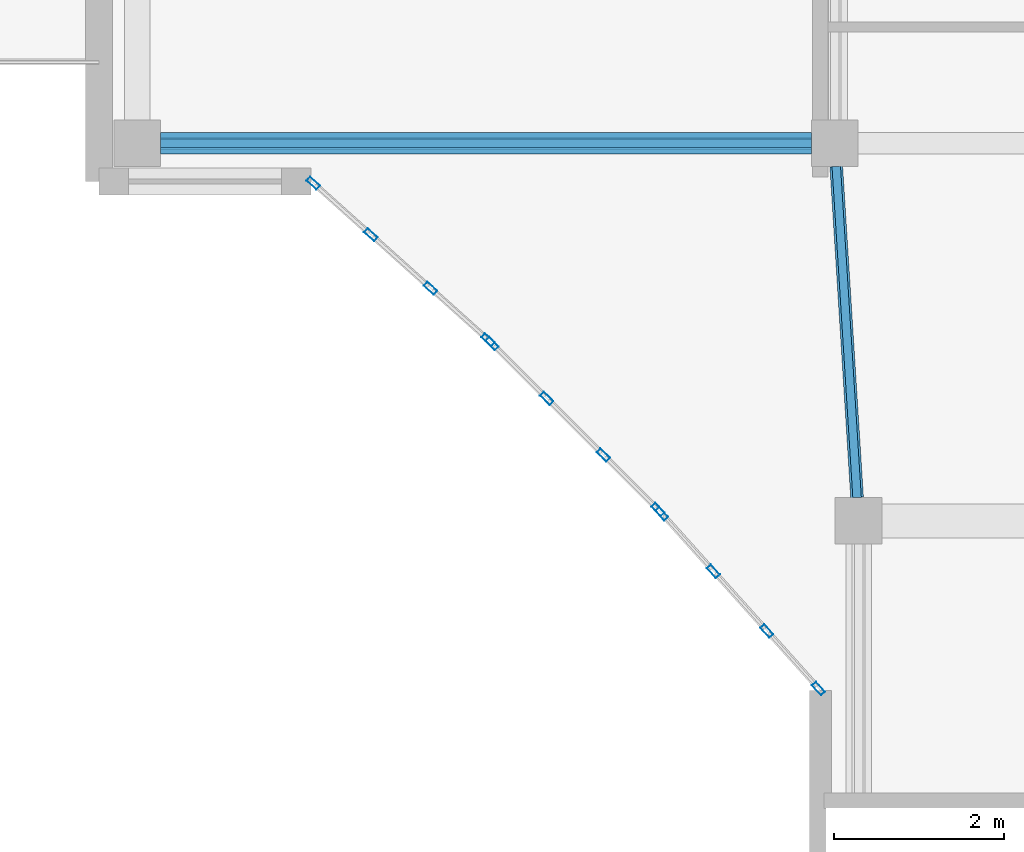
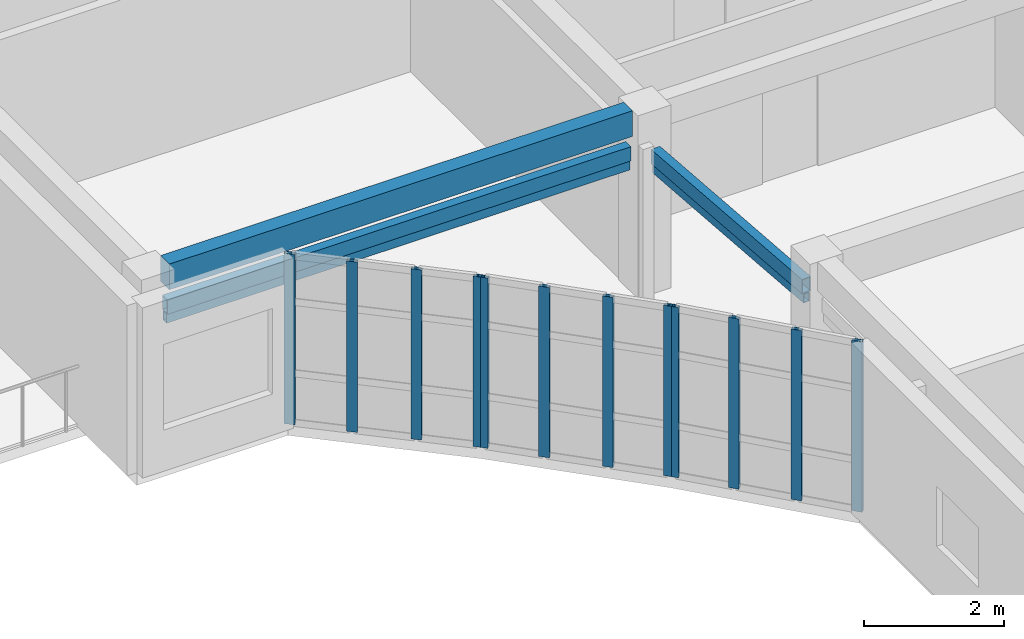
# One storey, part 2 of 49: 16 members, 1 beam, 3 elements without a shape of their own.
"""IFC4 building model written with IfcOpenShell, lengths in metres."""

from ifc_helpers import new_model, si_unit, direction, frame, origin, origin_2d, place, context, subcontext, project, spatial, rectangle, hollow_rectangle, extrude, material, layer, layer_set, material_profile, profile_set, type_object, element, aggregate, save


model = new_model("IFC4")

# Units and contexts
model_context = context("Model", 3, precision=1e-05, world=origin(), true_north=direction((0.0, 1.0)))
body_context = subcontext(model_context, "Body", "Model", "MODEL_VIEW")
ifc_project = project(units=[si_unit("LENGTHUNIT", "METRE"), si_unit("AREAUNIT", "SQUARE_METRE"), si_unit("VOLUMEUNIT", "CUBIC_METRE"), si_unit("PLANEANGLEUNIT", "RADIAN"), si_unit("MASSUNIT", "GRAM", prefix="KILO")], contexts=[model_context])

# Site, building, storey
site_placement = place(None, origin())
site = spatial("IfcSite", under=ifc_project, at=site_placement, CompositionType="ELEMENT")
building_placement = place(site_placement, origin())
building = spatial("IfcBuilding", under=site, at=building_placement, Name="Keldmere Railside Commons", CompositionType="ELEMENT")
storey_placement = place(building_placement, frame((0.0, 0.0, 29.760009765625)))
storey = spatial("IfcBuildingStorey", under=building, at=storey_placement, Name="L09", CompositionType="ELEMENT", Elevation=29.760009765625)

# Members
ifc_material_1 = material(Name="Steel F-36 (S355)", Category="steel")
ifc_material_profile_1 = material_profile(ifc_material_1, hollow_rectangle(XDim=0.14990234375, YDim=0.25, WallThickness=0.010009765625, at=origin_2d()), Name="RHS-250x150x10")
ifc_profile_set_1 = profile_set([ifc_material_profile_1], Name="Steel F-36 (S355)")
member_type_1 = type_object("IfcMemberType", Name="Balcony Continuous Planted Trough RHS250x150", PredefinedType="CHORD", material=ifc_profile_set_1)
member_1_placement = place(storey_placement, frame((40.22509765625, 100.449951171875, 2.4150390625), z_axis=(1.0, 0.0, 0.0), x_axis=(0.0, 1.0, 0.0)))
element("IfcMember", 1, at=member_1_placement, inside=storey, type_object=member_type_1, Name="PLT-1 MEM-BPLT-0929", PredefinedType="CHORD", context=body_context, shape_type="SweptSolid", body=[
    extrude(hollow_rectangle(XDim=0.14990234375, YDim=0.25, WallThickness=0.010009765625, at=origin_2d()), origin(), (0.0, 0.0, 1.0), 7.669921875),
])
member_2_placement = place(storey_placement, frame((48.4326171875, 96.2744140625, 2.4150390625), z_axis=(-0.062771017895, 0.998027955176, 0.0), x_axis=(-0.998027955176, -0.062771017895, 0.0)))
element("IfcMember", 2, at=member_2_placement, inside=storey, type_object=member_type_1, Name="PLT-1 MEM-BPLT-0935", PredefinedType="CHORD", context=body_context, shape_type="SweptSolid", body=[
    extrude(hollow_rectangle(XDim=0.14990234375, YDim=0.25, WallThickness=0.010009765625, at=origin_2d()), origin(), (0.0, 0.0, 1.0), 3.908935546875),
])

# Beam
ifc_material_2 = material(Name="Architectural Precast Concrete H-35 (C35/45)", Category="concrete")
ifc_material_profile_2 = material_profile(ifc_material_2, rectangle(XDim=0.25, YDim=0.449951171875, at=origin_2d()), Name="RC-250x450")
ifc_profile_set_2 = profile_set([ifc_material_profile_2], Name="Architectural Precast Concrete H-35 (C35/45)")
beam_type = type_object("IfcBeamType", Name="Perimeter Precast Spandrel Beam 250x450", PredefinedType="SPANDREL", material=ifc_profile_set_2)
beam_placement = place(storey_placement, frame((40.22509765625, 100.449951171875, 2.97509765625), z_axis=(1.0, 0.0, 0.0), x_axis=(0.0, 1.0, 0.0)))
element("IfcBeam", 3, at=beam_placement, inside=storey, type_object=beam_type, Name="SPB-1 BM-L09-2292", PredefinedType="SPANDREL", context=body_context, shape_type="SweptSolid", body=[
    extrude(rectangle(XDim=0.25, YDim=0.449951171875, at=origin_2d()), origin(), (0.0, 0.0, 1.0), 7.669921875),
])

# Members
ifc_material_profile_3 = material_profile(ifc_material_1, hollow_rectangle(XDim=0.10009765625, YDim=0.159912109375, WallThickness=0.008056640625, at=origin_2d()), Name="RHS-160x100x8")
ifc_profile_set_3 = profile_set([ifc_material_profile_3], Name="Steel F-36 (S355)")
member_type_2 = type_object("IfcMemberType", Name="Solar Brise-Soleil Louvre Fin RHS160x100", PredefinedType="STRUT", material=ifc_profile_set_3)
member_3_placement = place(storey_placement, frame((40.22509765625, 100.449951171875, 2.199951171875), z_axis=(1.0, 0.0, 0.0), x_axis=(0.0, 1.0, 0.0)))
element("IfcMember", 4, at=member_3_placement, inside=storey, type_object=member_type_2, Name="BSF-1 MEM-BSF-0930", PredefinedType="STRUT", context=body_context, shape_type="SweptSolid", body=[
    extrude(hollow_rectangle(XDim=0.10009765625, YDim=0.159912109375, WallThickness=0.008056640625, at=origin_2d()), origin(), (0.0, 0.0, 1.0), 7.669921875),
])
member_4_placement = place(storey_placement, frame((48.4326171875, 96.2744140625, 2.199951171875), z_axis=(-0.062771017895, 0.998027955176, 0.0), x_axis=(-0.998027955176, -0.062771017895, 0.0)))
element("IfcMember", 5, at=member_4_placement, inside=storey, type_object=member_type_2, Name="BSF-1 MEM-BSF-0936", PredefinedType="STRUT", context=body_context, shape_type="SweptSolid", body=[
    extrude(hollow_rectangle(XDim=0.10009765625, YDim=0.159912109375, WallThickness=0.008056640625, at=origin_2d()), origin(), (0.0, 0.0, 1.0), 3.908935546875),
])

# Curtain wall, members
ifc_material_3 = material(Name="Thermally Broken Aluminium", Category="aluminium")
ifc_layer_1 = layer(ifc_material_3, 0.159912109375, Name="Court Chord Wintergarden CW 4800x2850")
ifc_layer_set_1 = layer_set([ifc_layer_1], Name="Thermally Broken Aluminium")
curtain_wall_type_1 = type_object("IfcCurtainWallType", Name="Court Chord Wintergarden CW 4800x2850", PredefinedType="NOTDEFINED", material=ifc_layer_set_1)
curtain_wall_1_placement = place(storey_placement, origin())
curtain_wall_1 = element("IfcCurtainWall", 6, at=curtain_wall_1_placement, inside=storey, type_object=curtain_wall_type_1, Name="CW-12 CW-L09-082", PredefinedType="NOTDEFINED")
ifc_material_profile_4 = material_profile(ifc_material_3, hollow_rectangle(XDim=0.06494140625, YDim=0.159912109375, WallThickness=0.00390625, at=origin_2d()), Name="ALU-MULL-65x160")
ifc_profile_set_4 = profile_set([ifc_material_profile_4], Name="Thermally Broken Aluminium")
member_type_3 = type_object("IfcMemberType", Name="Unitised Curtain Wall Mullion 65x160", PredefinedType="MULLION", material=ifc_profile_set_4)
member_5_placement = place(storey_placement, frame((44.083740234375, 98.131591796875, 0.0), z_axis=(0.0, 0.0, 1.0), x_axis=(-0.667558519879, -0.744557333277, 0.0)))
member_5 = element("IfcMember", 7, at=member_5_placement, type_object=member_type_3, Name="CW-12 mullion 1", PredefinedType="MULLION", context=body_context, shape_type="SweptSolid", body=[
    extrude(hollow_rectangle(XDim=0.06494140625, YDim=0.159912109375, WallThickness=0.00390625, at=origin_2d()), origin(), (0.0, 0.0, 1.0), 2.97998046875),
])
member_6_placement = place(storey_placement, frame((43.4052734375, 98.739990234375, 0.0), z_axis=(0.0, 0.0, 1.0), x_axis=(-0.667558519879, -0.744557333277, 0.0)))
member_6 = element("IfcMember", 8, at=member_6_placement, type_object=member_type_3, Name="CW-12 mullion 2", PredefinedType="MULLION", context=body_context, shape_type="SweptSolid", body=[
    extrude(hollow_rectangle(XDim=0.06494140625, YDim=0.159912109375, WallThickness=0.00390625, at=origin_2d()), origin(), (0.0, 0.0, 1.0), 2.97998046875),
])
member_7_placement = place(storey_placement, frame((42.70263671875, 99.3701171875, 0.0), z_axis=(0.0, 0.0, 1.0), x_axis=(-0.667558519879, -0.744557333277, 0.0)))
member_7 = element("IfcMember", 9, at=member_7_placement, type_object=member_type_3, Name="CW-12 mullion 3", PredefinedType="MULLION", context=body_context, shape_type="SweptSolid", body=[
    extrude(hollow_rectangle(XDim=0.06494140625, YDim=0.159912109375, WallThickness=0.00390625, at=origin_2d()), origin(), (0.0, 0.0, 1.0), 2.97998046875),
])
member_8_placement = place(storey_placement, frame((42.024169921875, 99.978271484375, 0.0), z_axis=(0.0, 0.0, 1.0), x_axis=(-0.667558519879, -0.744557333277, 0.0)))
member_8 = element("IfcMember", 10, at=member_8_placement, type_object=member_type_3, Name="CW-12 mullion 4", PredefinedType="MULLION", context=body_context, shape_type="SweptSolid", body=[
    extrude(hollow_rectangle(XDim=0.06494140625, YDim=0.159912109375, WallThickness=0.00390625, at=origin_2d()), origin(), (0.0, 0.0, 1.0), 2.97998046875),
])
aggregate(curtain_wall_1, [member_5, member_6, member_7, member_8])

ifc_layer_2 = layer(ifc_material_3, 0.159912109375, Name="Court Chord Wintergarden CW 5400x2850")
ifc_layer_set_2 = layer_set([ifc_layer_2], Name="Thermally Broken Aluminium")
curtain_wall_type_2 = type_object("IfcCurtainWallType", Name="Court Chord Wintergarden CW 5400x2850", PredefinedType="NOTDEFINED", material=ifc_layer_set_2)
curtain_wall_2_placement = place(storey_placement, origin())
curtain_wall_2 = element("IfcCurtainWall", 11, at=curtain_wall_2_placement, inside=storey, type_object=curtain_wall_type_2, Name="CW-13 CW-L09-083", PredefinedType="NOTDEFINED")
member_9_placement = place(storey_placement, frame((46.0869140625, 96.130859375, 0.0), z_axis=(0.0, 0.0, 1.0), x_axis=(-0.707106781187, -0.707106781187, 0.0)))
member_9 = element("IfcMember", 12, at=member_9_placement, type_object=member_type_3, Name="CW-13 mullion 1", PredefinedType="MULLION", context=body_context, shape_type="SweptSolid", body=[
    extrude(hollow_rectangle(XDim=0.06494140625, YDim=0.159912109375, WallThickness=0.00390625, at=origin_2d()), origin(), (0.0, 0.0, 1.0), 2.97998046875),
])
member_10_placement = place(storey_placement, frame((45.442626953125, 96.775390625, 0.0), z_axis=(0.0, 0.0, 1.0), x_axis=(-0.707106781187, -0.707106781187, 0.0)))
member_10 = element("IfcMember", 13, at=member_10_placement, type_object=member_type_3, Name="CW-13 mullion 2", PredefinedType="MULLION", context=body_context, shape_type="SweptSolid", body=[
    extrude(hollow_rectangle(XDim=0.06494140625, YDim=0.159912109375, WallThickness=0.00390625, at=origin_2d()), origin(), (0.0, 0.0, 1.0), 2.97998046875),
])
member_11_placement = place(storey_placement, frame((44.775390625, 97.442626953125, 0.0), z_axis=(0.0, 0.0, 1.0), x_axis=(-0.707106781187, -0.707106781187, 0.0)))
member_11 = element("IfcMember", 14, at=member_11_placement, type_object=member_type_3, Name="CW-13 mullion 3", PredefinedType="MULLION", context=body_context, shape_type="SweptSolid", body=[
    extrude(hollow_rectangle(XDim=0.06494140625, YDim=0.159912109375, WallThickness=0.00390625, at=origin_2d()), origin(), (0.0, 0.0, 1.0), 2.97998046875),
])
member_12_placement = place(storey_placement, frame((44.130859375, 98.0869140625, 0.0), z_axis=(0.0, 0.0, 1.0), x_axis=(-0.707106781187, -0.707106781187, 0.0)))
member_12 = element("IfcMember", 15, at=member_12_placement, type_object=member_type_3, Name="CW-13 mullion 4", PredefinedType="MULLION", context=body_context, shape_type="SweptSolid", body=[
    extrude(hollow_rectangle(XDim=0.06494140625, YDim=0.159912109375, WallThickness=0.00390625, at=origin_2d()), origin(), (0.0, 0.0, 1.0), 2.97998046875),
])
aggregate(curtain_wall_2, [member_9, member_10, member_11, member_12])

curtain_wall_3_placement = place(storey_placement, origin())
curtain_wall_3 = element("IfcCurtainWall", 16, at=curtain_wall_3_placement, inside=storey, type_object=curtain_wall_type_1, Name="CW-12 CW-L09-084", PredefinedType="NOTDEFINED")
member_13_placement = place(storey_placement, frame((47.978271484375, 94.024169921875, 0.0), z_axis=(0.0, 0.0, 1.0), x_axis=(-0.744557333277, -0.667558519879, 0.0)))
member_13 = element("IfcMember", 17, at=member_13_placement, type_object=member_type_3, Name="CW-12 mullion 1", PredefinedType="MULLION", context=body_context, shape_type="SweptSolid", body=[
    extrude(hollow_rectangle(XDim=0.06494140625, YDim=0.159912109375, WallThickness=0.00390625, at=origin_2d()), origin(), (0.0, 0.0, 1.0), 2.97998046875),
])
member_14_placement = place(storey_placement, frame((47.3701171875, 94.70263671875, 0.0), z_axis=(0.0, 0.0, 1.0), x_axis=(-0.744557333277, -0.667558519879, 0.0)))
member_14 = element("IfcMember", 18, at=member_14_placement, type_object=member_type_3, Name="CW-12 mullion 2", PredefinedType="MULLION", context=body_context, shape_type="SweptSolid", body=[
    extrude(hollow_rectangle(XDim=0.06494140625, YDim=0.159912109375, WallThickness=0.00390625, at=origin_2d()), origin(), (0.0, 0.0, 1.0), 2.97998046875),
])
member_15_placement = place(storey_placement, frame((46.739990234375, 95.4052734375, 0.0), z_axis=(0.0, 0.0, 1.0), x_axis=(-0.744557333277, -0.667558519879, 0.0)))
member_15 = element("IfcMember", 19, at=member_15_placement, type_object=member_type_3, Name="CW-12 mullion 3", PredefinedType="MULLION", context=body_context, shape_type="SweptSolid", body=[
    extrude(hollow_rectangle(XDim=0.06494140625, YDim=0.159912109375, WallThickness=0.00390625, at=origin_2d()), origin(), (0.0, 0.0, 1.0), 2.97998046875),
])
member_16_placement = place(storey_placement, frame((46.131591796875, 96.083740234375, 0.0), z_axis=(0.0, 0.0, 1.0), x_axis=(-0.744557333277, -0.667558519879, 0.0)))
member_16 = element("IfcMember", 20, at=member_16_placement, type_object=member_type_3, Name="CW-12 mullion 4", PredefinedType="MULLION", context=body_context, shape_type="SweptSolid", body=[
    extrude(hollow_rectangle(XDim=0.06494140625, YDim=0.159912109375, WallThickness=0.00390625, at=origin_2d()), origin(), (0.0, 0.0, 1.0), 2.97998046875),
])
aggregate(curtain_wall_3, [member_13, member_14, member_15, member_16])

save(model, "model.ifc")
